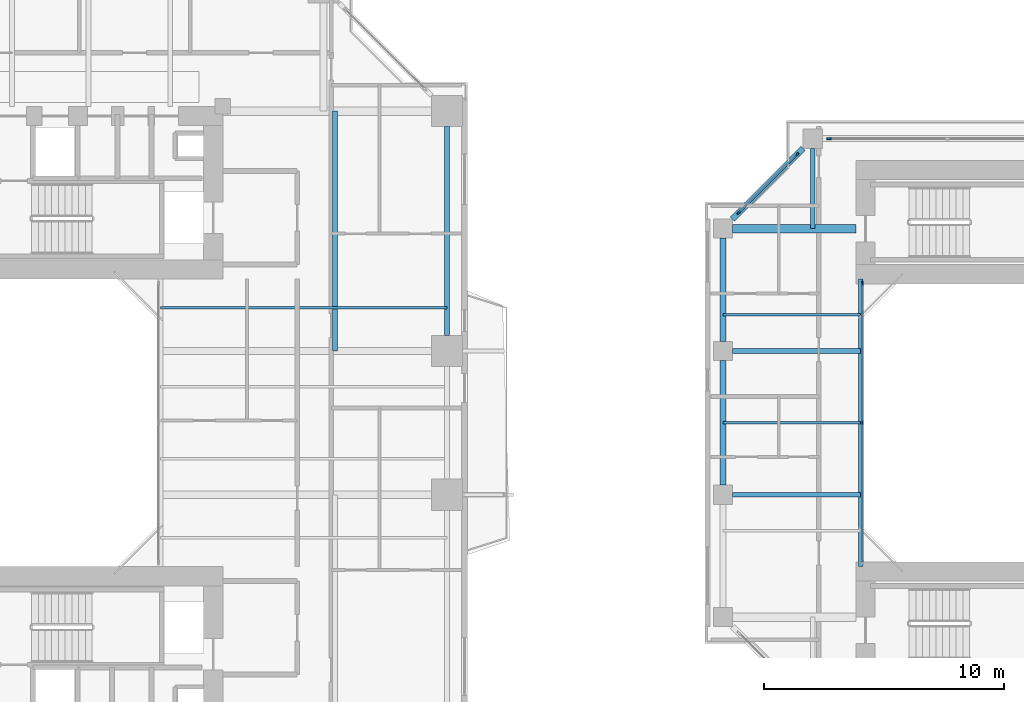
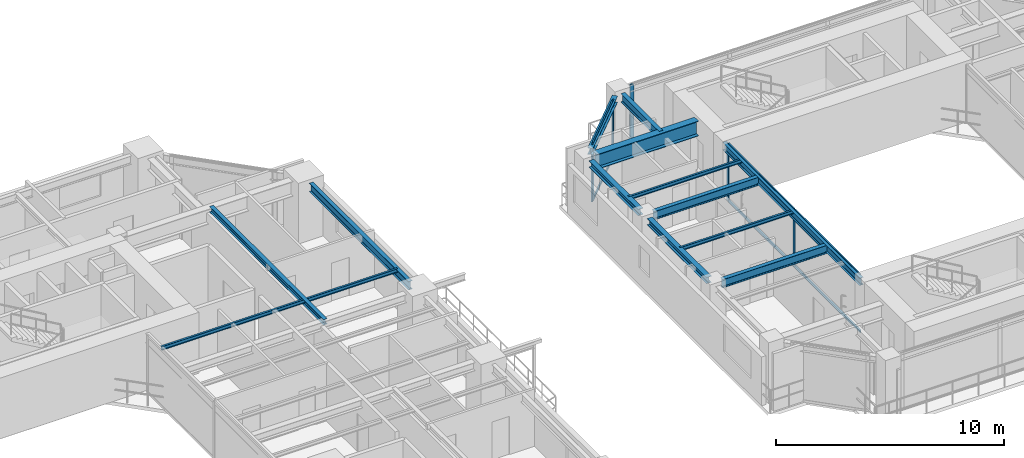
# One storey, part 8 of 23: 13 beams, 11 members, 3 elements without a shape of their own.
"""IFC4 building model written with IfcOpenShell, lengths in metres."""

from ifc_helpers import new_model, si_unit, direction, frame, origin, origin_2d, place, context, subcontext, project, spatial, rectangle, i_section, extrude, source, transform, mapped, material, layer, layer_set, material_profile, profile_set, type_object, element, aggregate, save


model = new_model("IFC4")

# Units and contexts
model_context = context("Model", 3, precision=1e-05, world=origin(), true_north=direction((0.0, 1.0)))
body_context = subcontext(model_context, "Body", "Model", "MODEL_VIEW")
ifc_project = project(units=[si_unit("LENGTHUNIT", "METRE"), si_unit("AREAUNIT", "SQUARE_METRE"), si_unit("VOLUMEUNIT", "CUBIC_METRE"), si_unit("PLANEANGLEUNIT", "RADIAN"), si_unit("MASSUNIT", "GRAM", prefix="KILO"), si_unit("THERMODYNAMICTEMPERATUREUNIT", "KELVIN"), si_unit("POWERUNIT", "WATT")], contexts=[model_context])

# Site, building, storey
site_placement = place(None, origin())
site = spatial("IfcSite", under=ifc_project, at=site_placement, CompositionType="ELEMENT")
building_placement = place(site_placement, origin())
building = spatial("IfcBuilding", under=site, at=building_placement, Name="Qiaomeng Ring Towers", CompositionType="ELEMENT")
storey_placement = place(building_placement, frame((0.0, 0.0, 73.0)))
storey = spatial("IfcBuildingStorey", under=building, at=storey_placement, Name="L20", CompositionType="ELEMENT", Elevation=73.0)

# Beams
ifc_material_1 = material(Name="Steel Q355B", Category="steel")
ifc_material_profile_1 = material_profile(ifc_material_1, i_section(OverallWidth=0.199951171875, OverallDepth=0.449951171875, WebThickness=0.009033203125, FlangeThickness=0.013916015625, FilletRadius=0.01806640625, at=origin_2d()), Name="HN 450x200x9x14")
ifc_profile_set_1 = profile_set([ifc_material_profile_1], Name="Steel Q355B")
beam_type_1 = type_object("IfcBeamType", Name="STR-BM-HN450", PredefinedType="SPANDREL", material=ifc_profile_set_1)
shared_shape_1 = source(origin(), body_context, "Body", "SweptSolid", [
    extrude(i_section(OverallWidth=0.199951171875, OverallDepth=0.449951171875, WebThickness=0.009033203125, FlangeThickness=0.013916015625, FilletRadius=0.01806640625, at=origin_2d()), origin(), (0.0, 0.0, 1.0), 8.7021484375),
])
beam_1_placement = place(storey_placement, frame((37.14990234375, 26.64892578125, 2.844970703125), z_axis=(0.0, 1.0, 0.0), x_axis=(-1.0, 0.0, 0.0)))
element("IfcBeam", 1, at=beam_1_placement, inside=storey, type_object=beam_type_1, Name="L20 beam STR-SP-L20-T1-E3-E4", PredefinedType="SPANDREL", context=body_context, shape_type="MappedRepresentation", body=[
    mapped(shared_shape_1, transform((0.0, 0.0, 0.0), x_axis=(1.0, 0.0, 0.0), y_axis=(0.0, 1.0, 0.0), z_axis=(0.0, 0.0, 1.0), scale=1.0)),
])
ifc_material_profile_2 = material_profile(ifc_material_1, i_section(OverallWidth=0.199951171875, OverallDepth=0.39990234375, WebThickness=0.008056640625, FlangeThickness=0.012939453125, FilletRadius=0.01611328125, at=origin_2d()), Name="HN 400x200x8x13")
ifc_profile_set_2 = profile_set([ifc_material_profile_2], Name="Steel Q355B")
beam_type_2 = type_object("IfcBeamType", Name="STR-BM-HN400", PredefinedType="SPANDREL", material=ifc_profile_set_2)
shared_shape_2 = source(origin(), body_context, "Body", "SweptSolid", [
    extrude(i_section(OverallWidth=0.199951171875, OverallDepth=0.39990234375, WebThickness=0.008056640625, FlangeThickness=0.012939453125, FilletRadius=0.01611328125, at=origin_2d()), origin(), (0.0, 0.0, 1.0), 12.0),
])
beam_2_placement = place(storey_placement, frame((54.39990234375, 17.0, 2.8701171875), z_axis=(0.0, 1.0, 0.0), x_axis=(-1.0, 0.0, 0.0)))
element("IfcBeam", 2, at=beam_2_placement, inside=storey, type_object=beam_type_2, Name="L20 beam STR-BM-L20-T2-WELL-W", PredefinedType="SPANDREL", context=body_context, shape_type="MappedRepresentation", body=[
    mapped(shared_shape_2, transform((0.0, 0.0, 0.0), x_axis=(1.0, 0.0, 0.0), y_axis=(0.0, 1.0, 0.0), z_axis=(0.0, 0.0, 1.0), scale=1.0)),
])
ifc_material_profile_3 = material_profile(ifc_material_1, i_section(OverallWidth=0.10009765625, OverallDepth=0.199951171875, WebThickness=0.005615234375, FlangeThickness=0.008056640625, FilletRadius=0.010986328125, at=origin_2d()), Name="HN 200x100x5.5x8")
ifc_profile_set_3 = profile_set([ifc_material_profile_3], Name="Steel Q355B")
beam_type_3 = type_object("IfcBeamType", Name="STR-BM-HN200", PredefinedType="JOIST", material=ifc_profile_set_3)
shared_shape_3 = source(origin(), body_context, "Body", "SweptSolid", [
    extrude(i_section(OverallWidth=0.10009765625, OverallDepth=0.199951171875, WebThickness=0.005615234375, FlangeThickness=0.008056640625, FilletRadius=0.010986328125, at=origin_2d()), origin(), (0.0, 0.0, 1.0), 11.949951171875),
])
beam_3_placement = place(storey_placement, frame((25.199951171875, 27.800048828125, 2.969970703125), z_axis=(1.0, 0.0, 0.0), x_axis=(0.0, 1.0, 0.0)))
element("IfcBeam", 3, at=beam_3_placement, inside=storey, type_object=beam_type_3, Name="L20 beam STR-JST-L20-T1E-4", PredefinedType="JOIST", context=body_context, shape_type="MappedRepresentation", body=[
    mapped(shared_shape_3, transform((0.0, 0.0, 0.0), x_axis=(1.0, 0.0, 0.0), y_axis=(0.0, 1.0, 0.0), z_axis=(0.0, 0.0, 1.0), scale=1.0)),
])
ifc_material_profile_4 = material_profile(ifc_material_1, i_section(OverallWidth=0.199951171875, OverallDepth=0.2939453125, WebThickness=0.008056640625, FlangeThickness=0.011962890625, FilletRadius=0.01806640625, at=origin_2d()), Name="HM 294x200x8x12")
ifc_profile_set_4 = profile_set([ifc_material_profile_4], Name="Steel Q355B")
beam_type_4 = type_object("IfcBeamType", Name="STR-BM-HM294", PredefinedType="JOIST", material=ifc_profile_set_4)
shared_shape_4 = source(origin(), body_context, "Body", "SweptSolid", [
    extrude(i_section(OverallWidth=0.199951171875, OverallDepth=0.2939453125, WebThickness=0.008056640625, FlangeThickness=0.011962890625, FilletRadius=0.01806640625, at=origin_2d()), origin(), (0.0, 0.0, 1.0), 10.0),
])
beam_4_placement = place(storey_placement, frame((32.47509765625, 26.0, 2.923095703125), z_axis=(0.0, 1.0, 0.0), x_axis=(-1.0, 0.0, 0.0)))
element("IfcBeam", 4, at=beam_4_placement, inside=storey, type_object=beam_type_4, Name="L20 beam STR-JST-L20-T1C-EN", PredefinedType="JOIST", context=body_context, shape_type="MappedRepresentation", body=[
    mapped(shared_shape_4, transform((0.0, 0.0, 0.0), x_axis=(1.0, 0.0, 0.0), y_axis=(0.0, 1.0, 0.0), z_axis=(0.0, 0.0, 1.0), scale=1.0)),
])
ifc_material_profile_5 = material_profile(ifc_material_1, i_section(OverallWidth=0.25, OverallDepth=0.340087890625, WebThickness=0.009033203125, FlangeThickness=0.013916015625, FilletRadius=0.02001953125, at=origin_2d()), Name="HM 340x250x9x14")
ifc_profile_set_5 = profile_set([ifc_material_profile_5], Name="Steel Q355B")
beam_type_5 = type_object("IfcBeamType", Name="STR-BM-HM340", PredefinedType="SPANDREL", material=ifc_profile_set_5)
shared_shape_5 = source(origin(), body_context, "Body", "SweptSolid", [
    extrude(i_section(OverallWidth=0.25, OverallDepth=0.340087890625, WebThickness=0.009033203125, FlangeThickness=0.013916015625, FilletRadius=0.02001953125, at=origin_2d()), origin(), (0.0, 0.0, 1.0), 4.173828125),
])
beam_5_placement = place(storey_placement, frame((52.000732421875, 34.45068359375, 2.89990234375), z_axis=(-0.707106781187, -0.707106781187, 0.0), x_axis=(0.707106781187, -0.707106781187, 0.0)))
element("IfcBeam", 5, at=beam_5_placement, inside=storey, type_object=beam_type_5, Name="L20 beam STR-SP-L20-T2-N1-W4", PredefinedType="SPANDREL", context=body_context, shape_type="MappedRepresentation", body=[
    mapped(shared_shape_5, transform((0.0, 0.0, 0.0), x_axis=(1.0, 0.0, 0.0), y_axis=(0.0, 1.0, 0.0), z_axis=(0.0, 0.0, 1.0), scale=1.0)),
])
shared_shape_6 = source(origin(), body_context, "Body", "SweptSolid", [
    extrude(i_section(OverallWidth=0.25, OverallDepth=0.340087890625, WebThickness=0.009033203125, FlangeThickness=0.013916015625, FilletRadius=0.02001953125, at=origin_2d()), origin(), (0.0, 0.0, 1.0), 4.302001953125),
])
beam_6_placement = place(storey_placement, frame((48.64990234375, 30.700927734375, 2.89990234375), z_axis=(0.0, -1.0, 0.0), x_axis=(1.0, 0.0, 0.0)))
element("IfcBeam", 6, at=beam_6_placement, inside=storey, type_object=beam_type_5, Name="L20 beam STR-SP-L20-T2-W4-W3", PredefinedType="SPANDREL", context=body_context, shape_type="MappedRepresentation", body=[
    mapped(shared_shape_6, transform((0.0, 0.0, 0.0), x_axis=(1.0, 0.0, 0.0), y_axis=(0.0, 1.0, 0.0), z_axis=(0.0, 0.0, 1.0), scale=1.0)),
])
shared_shape_7 = source(origin(), body_context, "Body", "SweptSolid", [
    extrude(i_section(OverallWidth=0.25, OverallDepth=0.340087890625, WebThickness=0.009033203125, FlangeThickness=0.013916015625, FilletRadius=0.02001953125, at=origin_2d()), origin(), (0.0, 0.0, 1.0), 5.2021484375),
])
beam_7_placement = place(storey_placement, frame((48.64990234375, 25.60107421875, 2.89990234375), z_axis=(0.0, -1.0, 0.0), x_axis=(1.0, 0.0, 0.0)))
element("IfcBeam", 7, at=beam_7_placement, inside=storey, type_object=beam_type_5, Name="L20 beam STR-SP-L20-T2-W3-W2", PredefinedType="SPANDREL", context=body_context, shape_type="MappedRepresentation", body=[
    mapped(shared_shape_7, transform((0.0, 0.0, 0.0), x_axis=(1.0, 0.0, 0.0), y_axis=(0.0, 1.0, 0.0), z_axis=(0.0, 0.0, 1.0), scale=1.0)),
])
ifc_material_2 = material(Name="Steel Q390GJC", Category="steel")
ifc_material_profile_6 = material_profile(ifc_material_2, i_section(OverallWidth=0.35009765625, OverallDepth=0.800048828125, WebThickness=0.01611328125, FlangeThickness=0.028076171875, at=origin_2d()), Name="WH 800x350x16x28")
ifc_profile_set_6 = profile_set([ifc_material_profile_6], Name="Steel Q390GJC")
beam_type_6 = type_object("IfcBeamType", Name="STR-BM-WH800", PredefinedType="BEAM", material=ifc_profile_set_6)
shared_shape_8 = source(origin(), body_context, "Body", "SweptSolid", [
    extrude(i_section(OverallWidth=0.35009765625, OverallDepth=0.800048828125, WebThickness=0.01611328125, FlangeThickness=0.028076171875, at=origin_2d()), origin(), (0.0, 0.0, 1.0), 5.15087890625),
])
beam_8_placement = place(storey_placement, frame((49.049072265625, 31.10009765625, 2.669921875), z_axis=(1.0, 0.0, 0.0), x_axis=(0.0, 1.0, 0.0)))
element("IfcBeam", 8, at=beam_8_placement, inside=storey, type_object=beam_type_6, Name="L20 beam STR-BM-L20-T2-RAD-W4", PredefinedType="BEAM", context=body_context, shape_type="MappedRepresentation", body=[
    mapped(shared_shape_8, transform((0.0, 0.0, 0.0), x_axis=(1.0, 0.0, 0.0), y_axis=(0.0, 1.0, 0.0), z_axis=(0.0, 0.0, 1.0), scale=1.0)),
])
shared_shape_9 = source(origin(), body_context, "Body", "SweptSolid", [
    extrude(i_section(OverallWidth=0.199951171875, OverallDepth=0.449951171875, WebThickness=0.009033203125, FlangeThickness=0.013916015625, FilletRadius=0.01806640625, at=origin_2d()), origin(), (0.0, 0.0, 1.0), 5.350830078125),
])
for number, where, z_axis, x_axis, name in (
    (9, (49.049072265625, 20.0, 2.844970703125), (1.0, 0.0, 0.0), (0.0, 1.0, 0.0), "L20 beam STR-BM-L20-T2-RAD-W2"),
    (10, (49.049072265625, 26.0, 2.844970703125), (1.0, 0.0, 0.0), (0.0, 1.0, 0.0), "L20 beam STR-BM-L20-T2-RAD-W3"),
):
    element("IfcBeam", number, at=place(storey_placement, frame(where, z_axis=z_axis, x_axis=x_axis)), inside=storey, type_object=beam_type_1, Name=name, PredefinedType="SPANDREL", context=body_context, shape_type="MappedRepresentation", body=[
        mapped(shared_shape_9, transform((0.0, 0.0, 0.0), x_axis=(1.0, 0.0, 0.0), y_axis=(0.0, 1.0, 0.0), z_axis=(0.0, 0.0, 1.0), scale=1.0)),
    ])
shared_shape_10 = source(origin(), body_context, "Body", "SweptSolid", [
    extrude(i_section(OverallWidth=0.199951171875, OverallDepth=0.449951171875, WebThickness=0.009033203125, FlangeThickness=0.013916015625, FilletRadius=0.01806640625, at=origin_2d()), origin(), (0.0, 0.0, 1.0), 3.350830078125),
])
beam_9_placement = place(storey_placement, frame((52.39990234375, 34.450927734375, 2.844970703125), z_axis=(0.0, -1.0, 0.0), x_axis=(1.0, 0.0, 0.0)))
element("IfcBeam", 11, at=beam_9_placement, inside=storey, type_object=beam_type_1, Name="L20 beam STR-BM-L20-T2-RAD-N1", PredefinedType="SPANDREL", context=body_context, shape_type="MappedRepresentation", body=[
    mapped(shared_shape_10, transform((0.0, 0.0, 0.0), x_axis=(1.0, 0.0, 0.0), y_axis=(0.0, 1.0, 0.0), z_axis=(0.0, 0.0, 1.0), scale=1.0)),
])
shared_shape_11 = source(origin(), body_context, "Body", "SweptSolid", [
    extrude(i_section(OverallWidth=0.10009765625, OverallDepth=0.199951171875, WebThickness=0.005615234375, FlangeThickness=0.008056640625, FilletRadius=0.010986328125, at=origin_2d()), origin(), (0.0, 0.0, 1.0), 5.75),
])
for number, where, z_axis, x_axis, name in (
    (12, (48.64990234375, 23.0, 2.969970703125), (1.0, 0.0, 0.0), (0.0, 1.0, 0.0), "L20 beam STR-JST-L20-T2W-2"),
    (13, (48.64990234375, 27.5, 2.969970703125), (1.0, 0.0, 0.0), (0.0, 1.0, 0.0), "L20 beam STR-JST-L20-T2W-3"),
):
    element("IfcBeam", number, at=place(storey_placement, frame(where, z_axis=z_axis, x_axis=x_axis)), inside=storey, type_object=beam_type_3, Name=name, PredefinedType="JOIST", context=body_context, shape_type="MappedRepresentation", body=[
        mapped(shared_shape_11, transform((0.0, 0.0, 0.0), x_axis=(1.0, 0.0, 0.0), y_axis=(0.0, 1.0, 0.0), z_axis=(0.0, 0.0, 1.0), scale=1.0)),
    ])

# Curtain wall, members
ifc_material_3 = material(Name="Fluorocarbon dark-grey aluminium", Category="aluminium")
ifc_layer_1 = layer(ifc_material_3, 0.139892578125, Name="Fluorocarbon dark-grey aluminium")
ifc_layer_set_1 = layer_set([ifc_layer_1], Name="Fluorocarbon dark-grey aluminium")
curtain_wall_type_1 = type_object("IfcCurtainWallType", Name="ARC-CW-4", PredefinedType="NOTDEFINED", material=ifc_layer_set_1)
curtain_wall_1_placement = place(storey_placement, origin())
curtain_wall_1 = element("IfcCurtainWall", 14, at=curtain_wall_1_placement, inside=storey, type_object=curtain_wall_type_1, Name="L20 Curtain Wall CW4", PredefinedType="NOTDEFINED")
ifc_material_profile_7 = material_profile(ifc_material_3, rectangle(XDim=0.06494140625, YDim=0.159912109375, at=origin_2d()), Name="ALU MULL 65x160")
ifc_profile_set_7 = profile_set([ifc_material_profile_7], Name="Fluorocarbon dark-grey aluminium")
member_type_1 = type_object("IfcMemberType", Name="ARC-CWM-140", PredefinedType="MULLION", material=ifc_profile_set_7)
shared_shape_12 = source(origin(), body_context, "Body", "SweptSolid", [
    extrude(rectangle(XDim=0.06494140625, YDim=0.159912109375, at=origin_2d()), origin(), (0.0, 0.0, 1.0), 3.070068359375),
])
member_1_placement = place(storey_placement, frame((54.47998046875, 23.0, 0.0), z_axis=(0.0, 0.0, 1.0), x_axis=(-1.0, 0.0, 0.0)))
member_1 = element("IfcMember", 15, at=member_1_placement, type_object=member_type_1, Name="CW4 mullion 2", PredefinedType="MULLION", context=body_context, shape_type="MappedRepresentation", body=[
    mapped(shared_shape_12, transform((0.0, 0.0, 0.0), x_axis=(1.0, 0.0, 0.0), y_axis=(0.0, 1.0, 0.0), z_axis=(0.0, 0.0, 1.0), scale=1.0)),
])
member_2_placement = place(storey_placement, frame((54.47998046875, 28.8173828125, 0.0), z_axis=(0.0, 0.0, 1.0), x_axis=(-1.0, 0.0, 0.0)))
member_2 = element("IfcMember", 16, at=member_2_placement, type_object=member_type_1, Name="CW4 mullion 3", PredefinedType="MULLION", context=body_context, shape_type="MappedRepresentation", body=[
    mapped(shared_shape_12, transform((0.0, 0.0, 0.0), x_axis=(1.0, 0.0, 0.0), y_axis=(0.0, 1.0, 0.0), z_axis=(0.0, 0.0, 1.0), scale=1.0)),
])
ifc_material_profile_8 = material_profile(ifc_material_3, rectangle(XDim=0.06494140625, YDim=0.1298828125, at=origin_2d()), Name="ALU TRAN 65x130")
ifc_profile_set_8 = profile_set([ifc_material_profile_8], Name="Fluorocarbon dark-grey aluminium")
member_type_2 = type_object("IfcMemberType", Name="ARC-CWT-120", PredefinedType="USERDEFINED", material=ifc_profile_set_8)
shared_shape_13 = source(origin(), body_context, "Body", "SweptSolid", [
    extrude(rectangle(XDim=0.06494140625, YDim=0.1298828125, at=origin_2d()), origin(), (0.0, 0.0, 1.0), 5.75244140625),
])
member_3_placement = place(storey_placement, frame((54.47998046875, 17.215087890625, 0.032470703125), z_axis=(0.0, 1.0, 0.0), x_axis=(-1.0, 0.0, 0.0)))
member_3 = element("IfcMember", 17, at=member_3_placement, type_object=member_type_2, Name="CW4 transom 1.1", ObjectType="TRANSOM", PredefinedType="USERDEFINED", context=body_context, shape_type="MappedRepresentation", body=[
    mapped(shared_shape_13, transform((0.0, 0.0, 0.0), x_axis=(1.0, 0.0, 0.0), y_axis=(0.0, 1.0, 0.0), z_axis=(0.0, 0.0, 1.0), scale=1.0)),
])
member_4_placement = place(storey_placement, frame((54.47998046875, 17.215087890625, 3.03759765625), z_axis=(0.0, 1.0, 0.0), x_axis=(-1.0, 0.0, 0.0)))
member_4 = element("IfcMember", 18, at=member_4_placement, type_object=member_type_2, Name="CW4 transom 1.2", ObjectType="TRANSOM", PredefinedType="USERDEFINED", context=body_context, shape_type="MappedRepresentation", body=[
    mapped(shared_shape_13, transform((0.0, 0.0, 0.0), x_axis=(1.0, 0.0, 0.0), y_axis=(0.0, 1.0, 0.0), z_axis=(0.0, 0.0, 1.0), scale=1.0)),
])
member_5_placement = place(storey_placement, frame((54.47998046875, 23.032470703125, 0.032470703125), z_axis=(0.0, 1.0, 0.0), x_axis=(-1.0, 0.0, 0.0)))
member_5 = element("IfcMember", 19, at=member_5_placement, type_object=member_type_2, Name="CW4 transom 2.1", ObjectType="TRANSOM", PredefinedType="USERDEFINED", context=body_context, shape_type="MappedRepresentation", body=[
    mapped(shared_shape_13, transform((0.0, 0.0, 0.0), x_axis=(1.0, 0.0, 0.0), y_axis=(0.0, 1.0, 0.0), z_axis=(0.0, 0.0, 1.0), scale=1.0)),
])
member_6_placement = place(storey_placement, frame((54.47998046875, 23.032470703125, 3.03759765625), z_axis=(0.0, 1.0, 0.0), x_axis=(-1.0, 0.0, 0.0)))
member_6 = element("IfcMember", 20, at=member_6_placement, type_object=member_type_2, Name="CW4 transom 2.2", ObjectType="TRANSOM", PredefinedType="USERDEFINED", context=body_context, shape_type="MappedRepresentation", body=[
    mapped(shared_shape_13, transform((0.0, 0.0, 0.0), x_axis=(1.0, 0.0, 0.0), y_axis=(0.0, 1.0, 0.0), z_axis=(0.0, 0.0, 1.0), scale=1.0)),
])
aggregate(curtain_wall_1, [member_1, member_2, member_3, member_4, member_5, member_6])

# Curtain wall, member
ifc_layer_2 = layer(ifc_material_3, 0.14990234375, Name="Fluorocarbon dark-grey aluminium")
ifc_layer_set_2 = layer_set([ifc_layer_2], Name="Fluorocarbon dark-grey aluminium")
curtain_wall_type_2 = type_object("IfcCurtainWallType", Name="ARC-CW-5", PredefinedType="NOTDEFINED", material=ifc_layer_set_2)
curtain_wall_2_placement = place(storey_placement, origin())
curtain_wall_2 = element("IfcCurtainWall", 21, at=curtain_wall_2_placement, inside=storey, type_object=curtain_wall_type_2, Name="L20 Curtain Wall CW5", PredefinedType="NOTDEFINED")
ifc_material_profile_9 = material_profile(ifc_material_3, rectangle(XDim=0.070068359375, YDim=0.179931640625, at=origin_2d()), Name="ALU MULL 70x180")
ifc_profile_set_9 = profile_set([ifc_material_profile_9], Name="Fluorocarbon dark-grey aluminium")
member_type_3 = type_object("IfcMemberType", Name="ARC-CWM-160", PredefinedType="MULLION", material=ifc_profile_set_9)
shared_shape_14 = source(origin(), body_context, "Body", "SweptSolid", [
    extrude(rectangle(XDim=0.070068359375, YDim=0.179931640625, at=origin_2d()), origin(), (0.0, 0.0, 1.0), 3.070068359375),
])
member_7_placement = place(storey_placement, frame((53.074951171875, 34.85009765625, 0.0), z_axis=(0.0, 0.0, 1.0), x_axis=(0.0, 1.0, 0.0)))
member_7 = element("IfcMember", 22, at=member_7_placement, type_object=member_type_3, Name="CW5 mullion 1", PredefinedType="MULLION", context=body_context, shape_type="MappedRepresentation", body=[
    mapped(shared_shape_14, transform((0.0, 0.0, 0.0), x_axis=(1.0, 0.0, 0.0), y_axis=(0.0, 1.0, 0.0), z_axis=(0.0, 0.0, 1.0), scale=1.0)),
])
aggregate(curtain_wall_2, [member_7])

# Curtain wall, members
curtain_wall_3_placement = place(storey_placement, origin())
curtain_wall_3 = element("IfcCurtainWall", 23, at=curtain_wall_3_placement, inside=storey, type_object=curtain_wall_type_2, Name="L20 Curtain Wall CW5", PredefinedType="NOTDEFINED")
member_8_placement = place(storey_placement, frame((51.7353515625, 34.185302734375, 0.0), z_axis=(0.0, 0.0, 1.0), x_axis=(0.707106781187, -0.707106781187, 0.0)))
member_8 = element("IfcMember", 24, at=member_8_placement, type_object=member_type_3, Name="CW5 mullion 1", PredefinedType="MULLION", context=body_context, shape_type="MappedRepresentation", body=[
    mapped(shared_shape_14, transform((0.0, 0.0, 0.0), x_axis=(1.0, 0.0, 0.0), y_axis=(0.0, 1.0, 0.0), z_axis=(0.0, 0.0, 1.0), scale=1.0)),
])
member_9_placement = place(storey_placement, frame((49.314697265625, 31.7646484375, 0.0), z_axis=(0.0, 0.0, 1.0), x_axis=(0.707106781187, -0.707106781187, 0.0)))
member_9 = element("IfcMember", 25, at=member_9_placement, type_object=member_type_3, Name="CW5 mullion 2", PredefinedType="MULLION", context=body_context, shape_type="MappedRepresentation", body=[
    mapped(shared_shape_14, transform((0.0, 0.0, 0.0), x_axis=(1.0, 0.0, 0.0), y_axis=(0.0, 1.0, 0.0), z_axis=(0.0, 0.0, 1.0), scale=1.0)),
])
shared_shape_15 = source(origin(), body_context, "Body", "SweptSolid", [
    extrude(rectangle(XDim=0.06494140625, YDim=0.1298828125, at=origin_2d()), origin(), (0.0, 0.0, 1.0), 3.352783203125),
])
member_10_placement = place(storey_placement, frame((51.71044921875, 34.160400390625, 0.032470703125), z_axis=(-0.707106781187, -0.707106781187, 0.0), x_axis=(0.707106781187, -0.707106781187, 0.0)))
member_10 = element("IfcMember", 26, at=member_10_placement, type_object=member_type_2, Name="CW5 transom 1.1", ObjectType="TRANSOM", PredefinedType="USERDEFINED", context=body_context, shape_type="MappedRepresentation", body=[
    mapped(shared_shape_15, transform((0.0, 0.0, 0.0), x_axis=(1.0, 0.0, 0.0), y_axis=(0.0, 1.0, 0.0), z_axis=(0.0, 0.0, 1.0), scale=1.0)),
])
member_11_placement = place(storey_placement, frame((51.71044921875, 34.160400390625, 3.03759765625), z_axis=(-0.707106781187, -0.707106781187, 0.0), x_axis=(0.707106781187, -0.707106781187, 0.0)))
member_11 = element("IfcMember", 27, at=member_11_placement, type_object=member_type_2, Name="CW5 transom 1.2", ObjectType="TRANSOM", PredefinedType="USERDEFINED", context=body_context, shape_type="MappedRepresentation", body=[
    mapped(shared_shape_15, transform((0.0, 0.0, 0.0), x_axis=(1.0, 0.0, 0.0), y_axis=(0.0, 1.0, 0.0), z_axis=(0.0, 0.0, 1.0), scale=1.0)),
])
aggregate(curtain_wall_3, [member_8, member_9, member_10, member_11])

save(model, "model.ifc")
